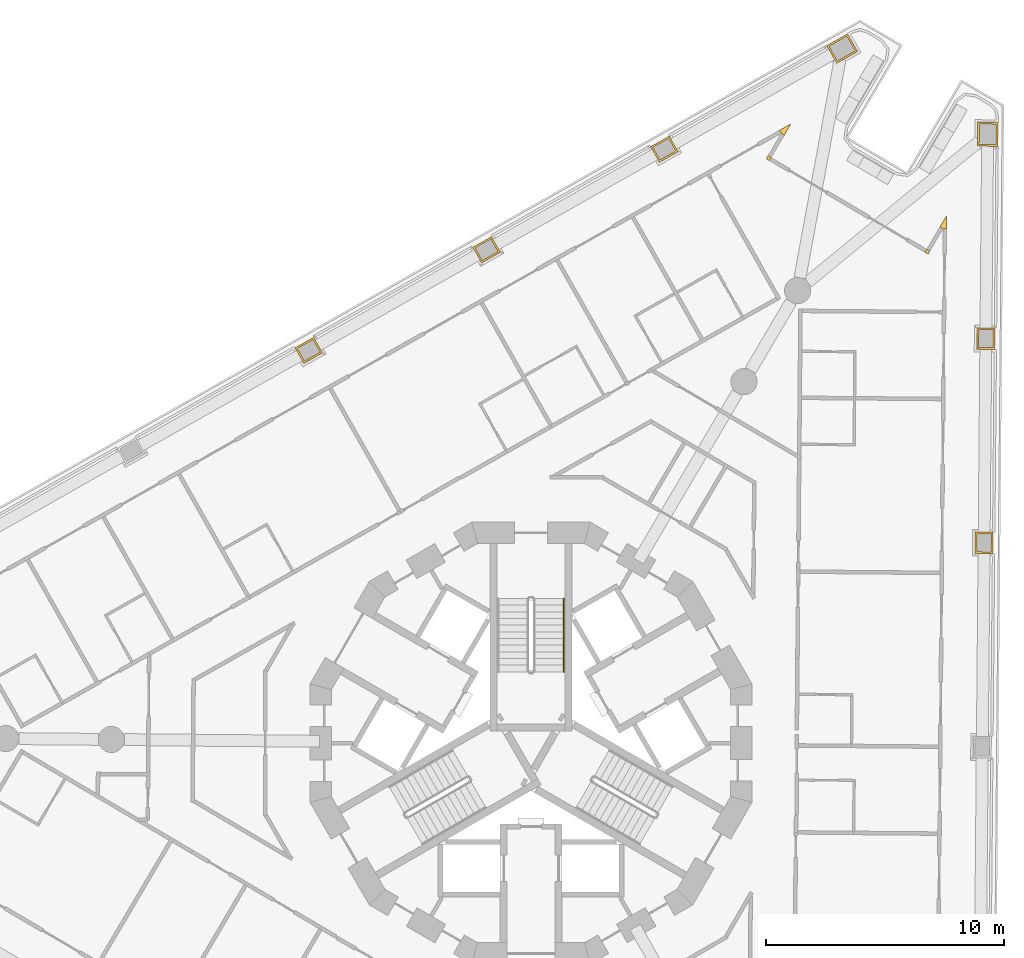
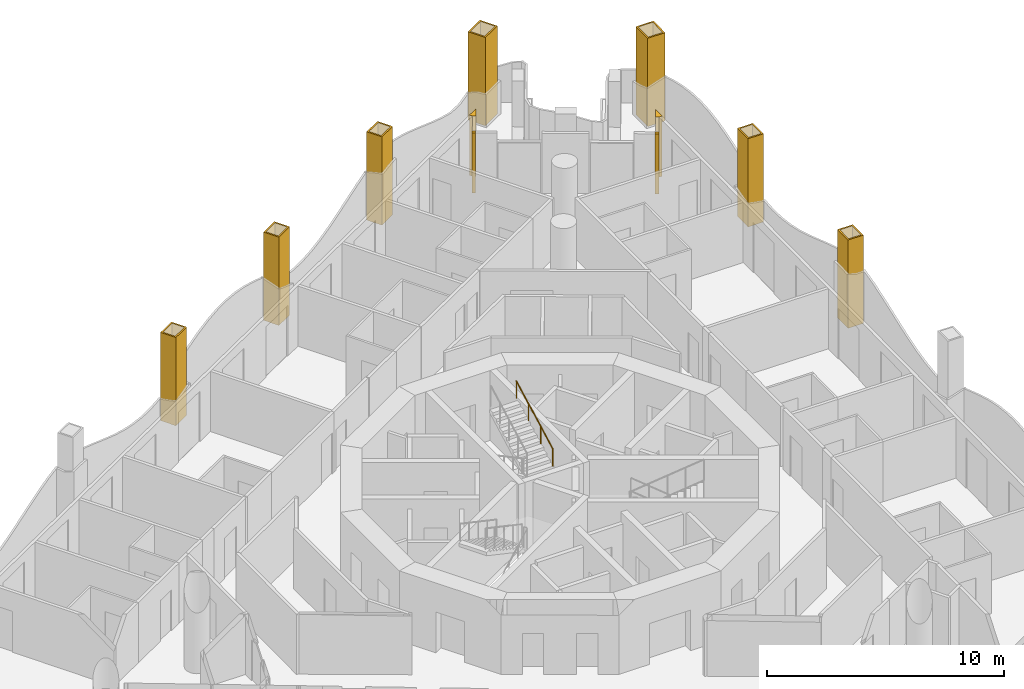
# One storey, part 16 of 17: 11 coverings, 1 railing.
"""IFC4 building model written with IfcOpenShell, lengths in metres."""

from ifc_helpers import new_model, si_unit, direction, frame, origin, origin_2d, place, context, subcontext, project, spatial, polyline, circle, outline, extrude, material, layer, layer_set, type_object, element, save


model = new_model("IFC4")

# Units and contexts
model_context = context("Model", 3, precision=1e-05, world=origin(), true_north=direction((0.0, 1.0)))
body_context = subcontext(model_context, "Body", "Model", "MODEL_VIEW")
ifc_project = project(units=[si_unit("LENGTHUNIT", "METRE"), si_unit("AREAUNIT", "SQUARE_METRE"), si_unit("VOLUMEUNIT", "CUBIC_METRE"), si_unit("PLANEANGLEUNIT", "RADIAN"), si_unit("MASSUNIT", "GRAM", prefix="KILO")], contexts=[model_context])

# Site, building, storey
site_placement = place(None, origin())
site = spatial("IfcSite", under=ifc_project, at=site_placement, CompositionType="ELEMENT")
building_placement = place(site_placement, origin())
building = spatial("IfcBuilding", under=site, at=building_placement, Name="Trine Commons Tower", CompositionType="ELEMENT")
storey_placement = place(building_placement, frame((0.0, 0.0, 189.89990234375)))
storey = spatial("IfcBuildingStorey", under=building, at=storey_placement, Name="L49", CompositionType="ELEMENT", Elevation=189.89990234375)

# Coverings
ifc_material_1 = material(Name="Aluminium-framed insulated wall panel", Category="aluminium")
ifc_layer_1 = layer(ifc_material_1, 0.14990234375)
ifc_layer_set_1 = layer_set([ifc_layer_1], Name="Aluminium-framed insulated wall panel")
covering_type_1 = type_object("IfcCoveringType", Name="Glazing corner post, aluminium", PredefinedType="CLADDING", material=ifc_layer_set_1)
covering_1_placement = place(storey_placement, origin())
element("IfcCovering", 1, at=covering_1_placement, inside=storey, type_object=covering_type_1, Name="Glazing corner post 5-05", PredefinedType="CLADDING", context=body_context, shape_type="SweptSolid", body=[
    extrude(outline(polyline([(90.626220703125, 88.007080078125), (90.910400390625, 88.489501953125), (90.423095703125, 88.213623046875), (90.496826171875, 88.083251953125), (90.626220703125, 88.007080078125)])), origin(), (0.0, 0.0, 1.0), 3.10009765625),
])
covering_2_placement = place(storey_placement, origin())
element("IfcCovering", 2, at=covering_2_placement, inside=storey, type_object=covering_type_1, Name="Glazing corner post 5-06", PredefinedType="CLADDING", context=body_context, shape_type="SweptSolid", body=[
    extrude(outline(polyline([(89.9990234375, 86.9423828125), (90.0751953125, 87.071533203125), (89.94580078125, 87.147705078125), (89.86962890625, 87.018310546875), (89.9990234375, 86.9423828125)])), origin(), (0.0, 0.0, 1.0), 3.10009765625),
])
covering_3_placement = place(storey_placement, origin())
element("IfcCovering", 3, at=covering_3_placement, inside=storey, type_object=covering_type_1, Name="Glazing corner post 5-07", PredefinedType="CLADDING", context=body_context, shape_type="SweptSolid", body=[
    extrude(outline(polyline([(96.530029296875, 83.09521484375), (96.659423828125, 83.01904296875), (96.735595703125, 83.148193359375), (96.606201171875, 83.224365234375), (96.530029296875, 83.09521484375)])), origin(), (0.0, 0.0, 1.0), 3.10009765625),
])
covering_4_placement = place(storey_placement, origin())
element("IfcCovering", 4, at=covering_4_placement, inside=storey, type_object=covering_type_1, Name="Glazing corner post 5-08", PredefinedType="CLADDING", context=body_context, shape_type="SweptSolid", body=[
    extrude(outline(polyline([(97.4365234375, 84.08251953125), (97.44140625, 84.64208984375), (97.1572265625, 84.159912109375), (97.28662109375, 84.083740234375), (97.4365234375, 84.08251953125)])), origin(), (0.0, 0.0, 1.0), 3.10009765625),
])
ifc_material_2 = material(Name="Limestone, honed", Category="masonry")
ifc_layer_2 = layer(ifc_material_2, 0.074951171875)
ifc_layer_set_2 = layer_set([ifc_layer_2], Name="Limestone, honed")
covering_type_2 = type_object("IfcCoveringType", Name="Limestone column cladding 75", PredefinedType="CLADDING", material=ifc_layer_set_2)
covering_5_placement = place(storey_placement, origin())
element("IfcCovering", 5, at=covering_5_placement, inside=storey, type_object=covering_type_2, Name="Limestone pier cladding 5-11", PredefinedType="CLADDING", context=body_context, shape_type="SweptSolid", body=[
    extrude(outline(polyline([(71.2509765625, 78.877685546875), (70.881591796875, 79.530517578125), (70.098388671875, 79.087158203125), (70.4677734375, 78.434326171875), (71.2509765625, 78.877685546875)]), holes=[polyline([(71.148681640625, 78.906005859375), (70.853515625, 79.42822265625), (70.20068359375, 79.058837890625), (70.49609375, 78.53662109375), (71.148681640625, 78.906005859375)])]), origin(), (0.0, 0.0, 1.0), 4.54931640625),
])
covering_6_placement = place(storey_placement, origin())
element("IfcCovering", 6, at=covering_6_placement, inside=storey, type_object=covering_type_2, Name="Limestone pier cladding 5-12", PredefinedType="CLADDING", context=body_context, shape_type="SweptSolid", body=[
    extrude(outline(polyline([(78.71044921875, 83.097900390625), (78.34130859375, 83.750732421875), (77.557861328125, 83.3076171875), (77.92724609375, 82.65478515625), (78.71044921875, 83.097900390625)]), holes=[polyline([(78.6083984375, 83.12646484375), (78.31298828125, 83.648681640625), (77.66015625, 83.279296875), (77.95556640625, 82.757080078125), (78.6083984375, 83.12646484375)])]), origin(), (0.0, 0.0, 1.0), 4.54931640625),
])
covering_7_placement = place(storey_placement, origin())
element("IfcCovering", 7, at=covering_7_placement, inside=storey, type_object=covering_type_2, Name="Limestone pier cladding 5-13", PredefinedType="CLADDING", context=body_context, shape_type="SweptSolid", body=[
    extrude(outline(polyline([(86.169921875, 87.318359375), (85.80078125, 87.97119140625), (85.017333984375, 87.52783203125), (85.38671875, 86.875), (86.169921875, 87.318359375)]), holes=[polyline([(86.06787109375, 87.3466796875), (85.7724609375, 87.868896484375), (85.11962890625, 87.49951171875), (85.4150390625, 86.977294921875), (86.06787109375, 87.3466796875)])]), origin(), (0.0, 0.0, 1.0), 4.54931640625),
])
covering_8_placement = place(storey_placement, origin())
element("IfcCovering", 8, at=covering_8_placement, inside=storey, type_object=covering_type_2, Name="Limestone pier cladding 5-14", PredefinedType="CLADDING", context=body_context, shape_type="SweptSolid", body=[
    extrude(outline(polyline([(93.697509765625, 91.519775390625), (93.279052734375, 92.259521484375), (92.40869140625, 91.76708984375), (92.8271484375, 91.02734375), (93.697509765625, 91.519775390625)]), holes=[polyline([(93.59521484375, 91.548095703125), (93.250732421875, 92.157470703125), (92.510986328125, 91.73876953125), (92.85546875, 91.129638671875), (93.59521484375, 91.548095703125)])]), origin(), (0.0, 0.0, 1.0), 4.54931640625),
])
covering_9_placement = place(storey_placement, origin())
element("IfcCovering", 9, at=covering_9_placement, inside=storey, type_object=covering_type_2, Name="Limestone pier cladding 5-15", PredefinedType="CLADDING", context=body_context, shape_type="SweptSolid", body=[
    extrude(outline(polyline([(99.590576171875, 88.5419921875), (98.740478515625, 88.54931640625), (98.73193359375, 87.54931640625), (99.581787109375, 87.5419921875), (99.590576171875, 88.5419921875)]), holes=[polyline([(99.514892578125, 88.467529296875), (98.81494140625, 88.4736328125), (98.8076171875, 87.623779296875), (99.507568359375, 87.61767578125), (99.514892578125, 88.467529296875)])]), origin(), (0.0, 0.0, 1.0), 4.54931640625),
])
covering_10_placement = place(storey_placement, origin())
element("IfcCovering", 10, at=covering_10_placement, inside=storey, type_object=covering_type_2, Name="Limestone pier cladding 5-16", PredefinedType="CLADDING", context=body_context, shape_type="SweptSolid", body=[
    extrude(outline(polyline([(99.46533203125, 79.922119140625), (98.71533203125, 79.9287109375), (98.70751953125, 79.028564453125), (99.45751953125, 79.02197265625), (99.46533203125, 79.922119140625)]), holes=[polyline([(99.3896484375, 79.84765625), (98.789794921875, 79.852783203125), (98.783203125, 79.102783203125), (99.383056640625, 79.09765625), (99.3896484375, 79.84765625)])]), origin(), (0.0, 0.0, 1.0), 4.54931640625),
])
covering_11_placement = place(storey_placement, origin())
element("IfcCovering", 11, at=covering_11_placement, inside=storey, type_object=covering_type_2, Name="Limestone pier cladding 5-17", PredefinedType="CLADDING", context=body_context, shape_type="SweptSolid", body=[
    extrude(outline(polyline([(99.390380859375, 71.351806640625), (98.640380859375, 71.3583984375), (98.6328125, 70.458251953125), (99.3828125, 70.45166015625), (99.390380859375, 71.351806640625)]), holes=[polyline([(99.31494140625, 71.27734375), (98.71484375, 71.28271484375), (98.708251953125, 70.53271484375), (99.308349609375, 70.52734375), (99.31494140625, 71.27734375)])]), origin(), (0.0, 0.0, 1.0), 4.54931640625),
])

# Railing
ifc_material_3 = material(Name="Stainless steel handrail", Category="steel")
railing_type = type_object("IfcRailingType", Name="Stair handrail, steel 900", PredefinedType="HANDRAIL", material=ifc_material_3)
railing_placement = place(storey_placement, frame((81.375, 65.490478515625, 1.9501953125)))
element("IfcRailing", 12, at=railing_placement, inside=storey, type_object=railing_type, Name="L49 ST1B stair handrail 2", PredefinedType="HANDRAIL", context=body_context, shape_type="SweptSolid", body=[
    extrude(circle(Radius=0.02099609375, at=origin_2d()), frame((0.0, 0.0, 0.87890625), z_axis=(0.0, 0.881496589024, 0.472190389079), x_axis=(-1.0, 0.0, 0.0)), (0.0, 0.0, 1.0), 3.494140625),
    extrude(circle(Radius=0.01513671875, at=origin_2d()), origin(), (0.0, 0.0, 1.0), 0.85791015625),
    extrude(circle(Radius=0.01513671875, at=origin_2d()), frame((0.0, 1.026611328125, 0.550048828125)), (0.0, 0.0, 1.0), 0.85791015625),
    extrude(circle(Radius=0.01513671875, at=origin_2d()), frame((0.0, 2.053466796875, 1.099853515625)), (0.0, 0.0, 1.0), 0.85791015625),
    extrude(circle(Radius=0.01513671875, at=origin_2d()), frame((0.0, 3.080078125, 1.64990234375)), (0.0, 0.0, 1.0), 0.85791015625),
])

save(model, "model.ifc")
